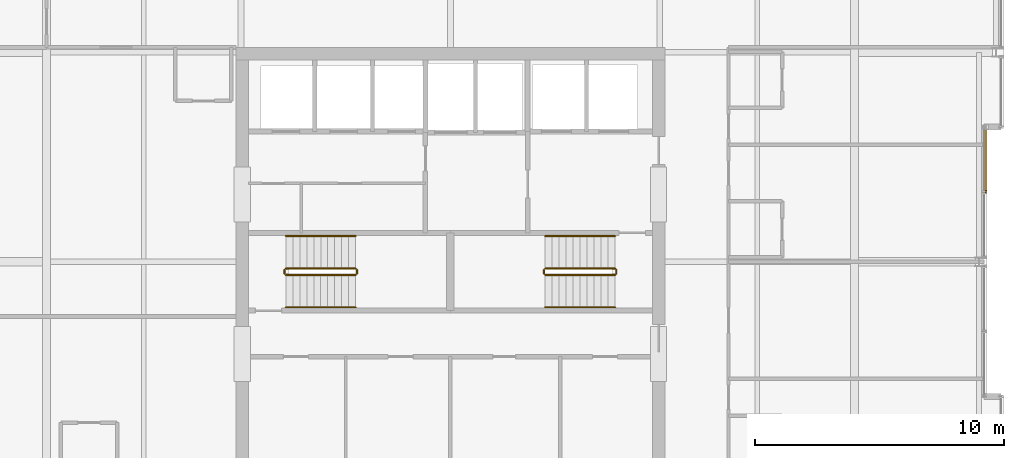
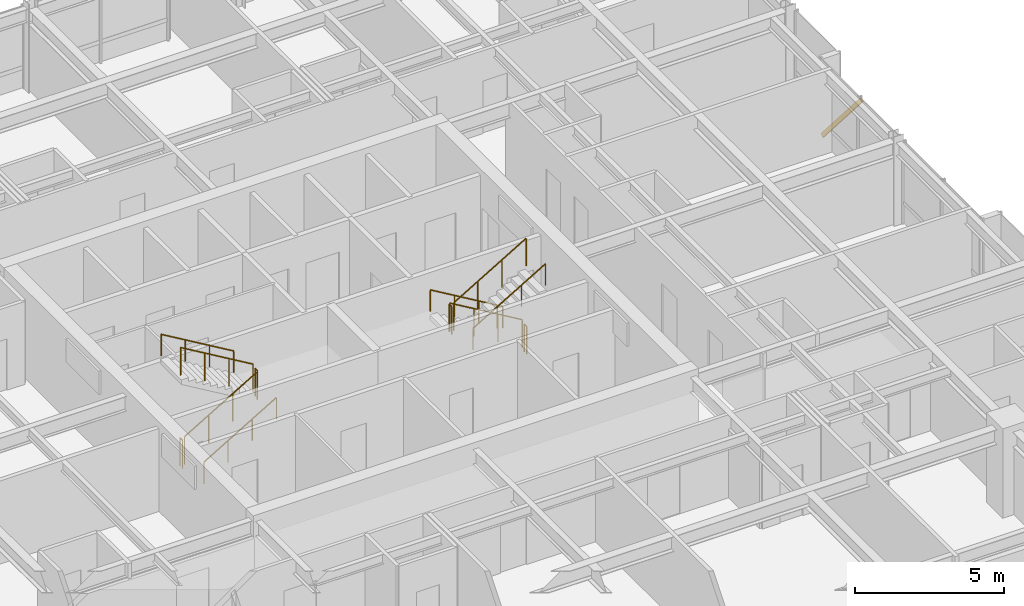
# One storey, part 31 of 32: 12 railings, 1 shading device.
"""IFC4 building model written with IfcOpenShell, lengths in metres."""

from ifc_helpers import new_model, si_unit, direction, frame, origin, origin_2d, place, context, subcontext, project, spatial, hollow_rectangle, circle, extrude, material, material_profile, profile_set, type_object, element, save


model = new_model("IFC4")

# Units and contexts
model_context = context("Model", 3, precision=1e-05, world=origin(), true_north=direction((0.0, 1.0)))
body_context = subcontext(model_context, "Body", "Model", "MODEL_VIEW")
ifc_project = project(units=[si_unit("LENGTHUNIT", "METRE"), si_unit("AREAUNIT", "SQUARE_METRE"), si_unit("VOLUMEUNIT", "CUBIC_METRE"), si_unit("PLANEANGLEUNIT", "RADIAN"), si_unit("MASSUNIT", "GRAM", prefix="KILO")], contexts=[model_context])

# Site, building, storey
site_placement = place(None, origin())
site = spatial("IfcSite", under=ifc_project, at=site_placement, CompositionType="ELEMENT")
building_placement = place(site_placement, origin())
building = spatial("IfcBuilding", under=site, at=building_placement, Name="Drelvath Grand Hotel", CompositionType="ELEMENT")
storey_placement = place(building_placement, frame((0.0, 0.0, 265.0)))
storey = spatial("IfcBuildingStorey", under=building, at=storey_placement, Name="L69", CompositionType="ELEMENT", Elevation=265.0)

# Railings
ifc_material_1 = material(Name="Painted Steel S275", Category="steel")
railing_type_1 = type_object("IfcRailingType", Name="Core Stair Wall Handrail 900", PredefinedType="HANDRAIL", material=ifc_material_1)
railing_1_placement = place(storey_placement, frame((-6.60009765625, 25.169921875, 0.166015625)))
element("IfcRailing", 1, at=railing_1_placement, inside=storey, type_object=railing_type_1, Name="L69 ST-1 stair handrail 1", PredefinedType="HANDRAIL", context=body_context, shape_type="SweptSolid", body=[
    extrude(circle(Radius=0.02392578125, at=origin_2d()), frame((0.0, 0.0, 0.8759765625), z_axis=(0.860339051648, 0.0, 0.50972219513), x_axis=(0.0, 1.0, 0.0)), (0.0, 0.0, 1.0), 3.254638671875),
    extrude(circle(Radius=0.02099609375, at=origin_2d()), origin(), (0.0, 0.0, 1.0), 0.851806640625),
    extrude(circle(Radius=0.02099609375, at=origin_2d()), frame((0.933349609375, 0.0, 0.552978515625)), (0.0, 0.0, 1.0), 0.851806640625),
    extrude(circle(Radius=0.02099609375, at=origin_2d()), frame((1.86669921875, 0.0, 1.10595703125)), (0.0, 0.0, 1.0), 0.851806640625),
    extrude(circle(Radius=0.02099609375, at=origin_2d()), frame((2.800048828125, 0.0, 1.658935546875)), (0.0, 0.0, 1.0), 0.851806640625),
])
for number, where, name in (
    (2, (-3.800048828125, 28.030029296875, 1.990966796875), "L69 ST-1 stair handrail 2"),
    (3, (6.60009765625, 28.030029296875, 0.166015625), "L69 ST-2 stair handrail 1"),
):
    element("IfcRailing", number, at=place(storey_placement, frame(where)), inside=storey, type_object=railing_type_1, Name=name, PredefinedType="HANDRAIL", context=body_context, shape_type="SweptSolid", body=[
        extrude(circle(Radius=0.02392578125, at=origin_2d()), frame((0.0, 0.0, 0.8759765625), z_axis=(-0.860339051648, 0.0, 0.50972219513), x_axis=(0.0, -1.0, 0.0)), (0.0, 0.0, 1.0), 3.254638671875),
        extrude(circle(Radius=0.02099609375, at=origin_2d()), origin(), (0.0, 0.0, 1.0), 0.851806640625),
        extrude(circle(Radius=0.02099609375, at=origin_2d()), frame((-0.933349609375, 0.0, 0.552978515625)), (0.0, 0.0, 1.0), 0.851806640625),
        extrude(circle(Radius=0.02099609375, at=origin_2d()), frame((-1.86669921875, 0.0, 1.10595703125)), (0.0, 0.0, 1.0), 0.851806640625),
        extrude(circle(Radius=0.02099609375, at=origin_2d()), frame((-2.800048828125, 0.0, 1.658935546875)), (0.0, 0.0, 1.0), 0.851806640625),
    ])
railing_2_placement = place(storey_placement, frame((3.800048828125, 25.169921875, 1.990966796875)))
element("IfcRailing", 4, at=railing_2_placement, inside=storey, type_object=railing_type_1, Name="L69 ST-2 stair handrail 2", PredefinedType="HANDRAIL", context=body_context, shape_type="SweptSolid", body=[
    extrude(circle(Radius=0.02392578125, at=origin_2d()), frame((0.0, 0.0, 0.8759765625), z_axis=(0.860339051648, 0.0, 0.50972219513), x_axis=(0.0, 1.0, 0.0)), (0.0, 0.0, 1.0), 3.254638671875),
    extrude(circle(Radius=0.02099609375, at=origin_2d()), origin(), (0.0, 0.0, 1.0), 0.851806640625),
    extrude(circle(Radius=0.02099609375, at=origin_2d()), frame((0.933349609375, 0.0, 0.552978515625)), (0.0, 0.0, 1.0), 0.851806640625),
    extrude(circle(Radius=0.02099609375, at=origin_2d()), frame((1.86669921875, 0.0, 1.10595703125)), (0.0, 0.0, 1.0), 0.851806640625),
    extrude(circle(Radius=0.02099609375, at=origin_2d()), frame((2.800048828125, 0.0, 1.658935546875)), (0.0, 0.0, 1.0), 0.851806640625),
])
railing_type_2 = type_object("IfcRailingType", Name="Core Stair Well Guardrail 1100", PredefinedType="GUARDRAIL", material=ifc_material_1)
railing_3_placement = place(storey_placement, frame((-6.60009765625, 26.469970703125, 0.166015625)))
element("IfcRailing", 5, at=railing_3_placement, inside=storey, type_object=railing_type_2, Name="L69 ST-1 stair guard 1", PredefinedType="GUARDRAIL", context=body_context, shape_type="SweptSolid", body=[
    extrude(circle(Radius=0.02392578125, at=origin_2d()), frame((0.0, 0.0, 1.1259765625), z_axis=(0.860339051648, 0.0, 0.50972219513), x_axis=(0.0, 1.0, 0.0)), (0.0, 0.0, 1.0), 3.254638671875),
    extrude(circle(Radius=0.02099609375, at=origin_2d()), origin(), (0.0, 0.0, 1.0), 1.101806640625),
    extrude(circle(Radius=0.02099609375, at=origin_2d()), frame((0.933349609375, 0.0, 0.552978515625)), (0.0, 0.0, 1.0), 1.101806640625),
    extrude(circle(Radius=0.02099609375, at=origin_2d()), frame((1.86669921875, 0.0, 1.10595703125)), (0.0, 0.0, 1.0), 1.101806640625),
    extrude(circle(Radius=0.02099609375, at=origin_2d()), frame((2.800048828125, 0.0, 1.658935546875)), (0.0, 0.0, 1.0), 1.101806640625),
])
railing_4_placement = place(storey_placement, frame((-3.75, 26.52001953125, 1.824951171875)))
element("IfcRailing", 6, at=railing_4_placement, inside=storey, type_object=railing_type_2, Name="L69 ST-1 stair guard 2", PredefinedType="GUARDRAIL", context=body_context, shape_type="SweptSolid", body=[
    extrude(circle(Radius=0.02392578125, at=origin_2d()), frame((0.0, 0.0, 1.1259765625), z_axis=(0.0, 1.0, 0.0), x_axis=(-1.0, 0.0, 0.0)), (0.0, 0.0, 1.0), 0.159912109375),
    extrude(circle(Radius=0.02099609375, at=origin_2d()), origin(), (0.0, 0.0, 1.0), 1.101806640625),
    extrude(circle(Radius=0.02099609375, at=origin_2d()), frame((0.0, 0.159912109375, 0.0)), (0.0, 0.0, 1.0), 1.101806640625),
])
railing_5_placement = place(storey_placement, frame((-3.800048828125, 26.72998046875, 1.990966796875)))
element("IfcRailing", 7, at=railing_5_placement, inside=storey, type_object=railing_type_2, Name="L69 ST-1 stair guard 3", PredefinedType="GUARDRAIL", context=body_context, shape_type="SweptSolid", body=[
    extrude(circle(Radius=0.02392578125, at=origin_2d()), frame((0.0, 0.0, 1.1259765625), z_axis=(-0.860339051648, 0.0, 0.50972219513), x_axis=(0.0, -1.0, 0.0)), (0.0, 0.0, 1.0), 3.254638671875),
    extrude(circle(Radius=0.02099609375, at=origin_2d()), origin(), (0.0, 0.0, 1.0), 1.101806640625),
    extrude(circle(Radius=0.02099609375, at=origin_2d()), frame((-0.933349609375, 0.0, 0.552978515625)), (0.0, 0.0, 1.0), 1.101806640625),
    extrude(circle(Radius=0.02099609375, at=origin_2d()), frame((-1.86669921875, 0.0, 1.10595703125)), (0.0, 0.0, 1.0), 1.101806640625),
    extrude(circle(Radius=0.02099609375, at=origin_2d()), frame((-2.800048828125, 0.0, 1.658935546875)), (0.0, 0.0, 1.0), 1.101806640625),
])
railing_6_placement = place(storey_placement, frame((-6.64990234375, 26.52001953125, 0.0)))
element("IfcRailing", 8, at=railing_6_placement, inside=storey, type_object=railing_type_2, Name="L69 ST-1 stair guard 4", PredefinedType="GUARDRAIL", context=body_context, shape_type="SweptSolid", body=[
    extrude(circle(Radius=0.02392578125, at=origin_2d()), frame((0.0, 0.0, 1.1259765625), z_axis=(0.0, 1.0, 0.0), x_axis=(-1.0, 0.0, 0.0)), (0.0, 0.0, 1.0), 0.159912109375),
    extrude(circle(Radius=0.02099609375, at=origin_2d()), origin(), (0.0, 0.0, 1.0), 1.101806640625),
    extrude(circle(Radius=0.02099609375, at=origin_2d()), frame((0.0, 0.159912109375, 0.0)), (0.0, 0.0, 1.0), 1.101806640625),
])
railing_7_placement = place(storey_placement, frame((6.60009765625, 26.72998046875, 0.166015625)))
element("IfcRailing", 9, at=railing_7_placement, inside=storey, type_object=railing_type_2, Name="L69 ST-2 stair guard 1", PredefinedType="GUARDRAIL", context=body_context, shape_type="SweptSolid", body=[
    extrude(circle(Radius=0.02392578125, at=origin_2d()), frame((0.0, 0.0, 1.1259765625), z_axis=(-0.860339051648, 0.0, 0.50972219513), x_axis=(0.0, -1.0, 0.0)), (0.0, 0.0, 1.0), 3.254638671875),
    extrude(circle(Radius=0.02099609375, at=origin_2d()), origin(), (0.0, 0.0, 1.0), 1.101806640625),
    extrude(circle(Radius=0.02099609375, at=origin_2d()), frame((-0.933349609375, 0.0, 0.552978515625)), (0.0, 0.0, 1.0), 1.101806640625),
    extrude(circle(Radius=0.02099609375, at=origin_2d()), frame((-1.86669921875, 0.0, 1.10595703125)), (0.0, 0.0, 1.0), 1.101806640625),
    extrude(circle(Radius=0.02099609375, at=origin_2d()), frame((-2.800048828125, 0.0, 1.658935546875)), (0.0, 0.0, 1.0), 1.101806640625),
])
railing_8_placement = place(storey_placement, frame((3.75, 26.679931640625, 1.824951171875)))
element("IfcRailing", 10, at=railing_8_placement, inside=storey, type_object=railing_type_2, Name="L69 ST-2 stair guard 2", PredefinedType="GUARDRAIL", context=body_context, shape_type="SweptSolid", body=[
    extrude(circle(Radius=0.02392578125, at=origin_2d()), frame((0.0, 0.0, 1.1259765625), z_axis=(0.0, -1.0, 0.0), x_axis=(1.0, 0.0, 0.0)), (0.0, 0.0, 1.0), 0.159912109375),
    extrude(circle(Radius=0.02099609375, at=origin_2d()), origin(), (0.0, 0.0, 1.0), 1.101806640625),
    extrude(circle(Radius=0.02099609375, at=origin_2d()), frame((0.0, -0.159912109375, 0.0)), (0.0, 0.0, 1.0), 1.101806640625),
])
railing_9_placement = place(storey_placement, frame((3.800048828125, 26.469970703125, 1.990966796875)))
element("IfcRailing", 11, at=railing_9_placement, inside=storey, type_object=railing_type_2, Name="L69 ST-2 stair guard 3", PredefinedType="GUARDRAIL", context=body_context, shape_type="SweptSolid", body=[
    extrude(circle(Radius=0.02392578125, at=origin_2d()), frame((0.0, 0.0, 1.1259765625), z_axis=(0.860339051648, 0.0, 0.50972219513), x_axis=(0.0, 1.0, 0.0)), (0.0, 0.0, 1.0), 3.254638671875),
    extrude(circle(Radius=0.02099609375, at=origin_2d()), origin(), (0.0, 0.0, 1.0), 1.101806640625),
    extrude(circle(Radius=0.02099609375, at=origin_2d()), frame((0.933349609375, 0.0, 0.552978515625)), (0.0, 0.0, 1.0), 1.101806640625),
    extrude(circle(Radius=0.02099609375, at=origin_2d()), frame((1.86669921875, 0.0, 1.10595703125)), (0.0, 0.0, 1.0), 1.101806640625),
    extrude(circle(Radius=0.02099609375, at=origin_2d()), frame((2.800048828125, 0.0, 1.658935546875)), (0.0, 0.0, 1.0), 1.101806640625),
])
railing_10_placement = place(storey_placement, frame((6.64990234375, 26.679931640625, 0.0)))
element("IfcRailing", 12, at=railing_10_placement, inside=storey, type_object=railing_type_2, Name="L69 ST-2 stair guard 4", PredefinedType="GUARDRAIL", context=body_context, shape_type="SweptSolid", body=[
    extrude(circle(Radius=0.02392578125, at=origin_2d()), frame((0.0, 0.0, 1.1259765625), z_axis=(0.0, -1.0, 0.0), x_axis=(1.0, 0.0, 0.0)), (0.0, 0.0, 1.0), 0.159912109375),
    extrude(circle(Radius=0.02099609375, at=origin_2d()), origin(), (0.0, 0.0, 1.0), 1.101806640625),
    extrude(circle(Radius=0.02099609375, at=origin_2d()), frame((0.0, -0.159912109375, 0.0)), (0.0, 0.0, 1.0), 1.101806640625),
])

# Shading device
ifc_material_2 = material(Name="Platinum-Mist Anodised Aluminium", Category="aluminium")
ifc_material_profile = material_profile(ifc_material_2, hollow_rectangle(XDim=0.06494140625, YDim=0.159912109375, WallThickness=0.00390625, at=origin_2d()), Name="HSS160X65X4")
ifc_profile_set = profile_set([ifc_material_profile], Name="Platinum-Mist Anodised Aluminium")
shading_device_type = type_object("IfcShadingDeviceType", Name="Diagonal Solar Fin Platinum Anodised HSS160X65X4", PredefinedType="USERDEFINED", material=ifc_profile_set)
shading_device_placement = place(storey_placement, frame((21.47998046875, 32.39990234375, 0.179931640625), z_axis=(0.0, -0.652759690276, 0.757565037967), x_axis=(1.0, 0.0, 0.0)))
element("IfcShadingDevice", 13, at=shading_device_placement, inside=storey, type_object=shading_device_type, Name="L69 Diagonal Anodised Fin CW05-L69-EM2", ObjectType="FIN", PredefinedType="USERDEFINED", context=body_context, shape_type="SweptSolid", body=[
    extrude(hollow_rectangle(XDim=0.06494140625, YDim=0.159912109375, WallThickness=0.00390625, at=origin_2d()), origin(), (0.0, 0.0, 1.0), 3.999755859375),
])

save(model, "model.ifc")
